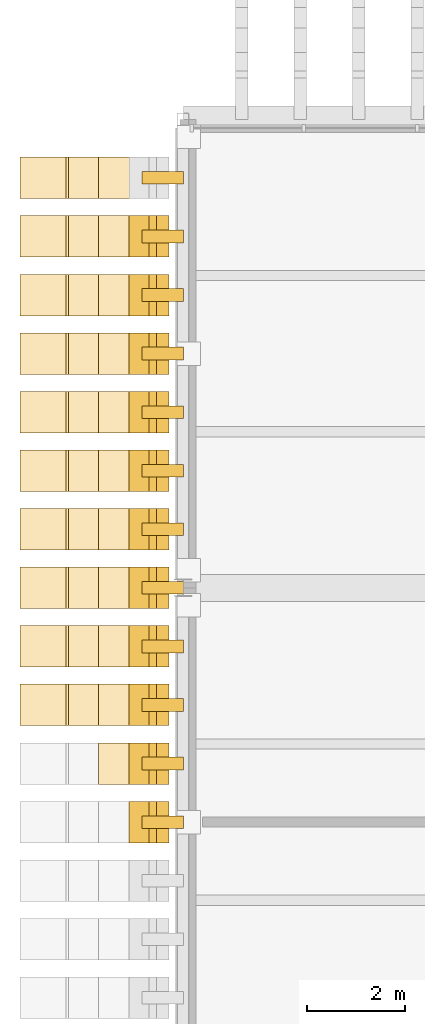
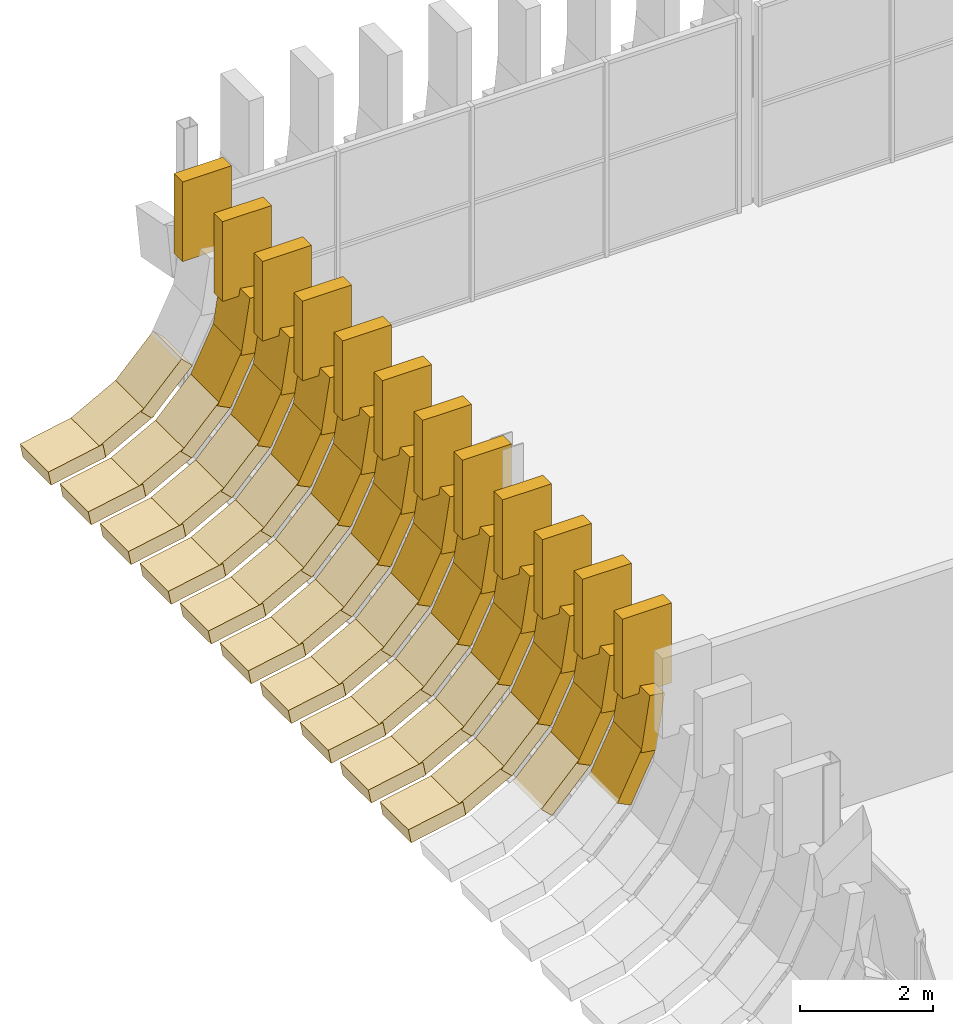
# One storey, part 77 of 100: 65 coverings.
"""IFC4 building model written with IfcOpenShell, lengths in metres."""

from ifc_helpers import new_model, si_unit, direction, frame, origin, origin_2d, place, context, subcontext, project, spatial, rectangle, extrude, material, material_profile, profile_set, type_object, element, save


model = new_model("IFC4")

# Units and contexts
model_context = context("Model", 3, precision=1e-05, world=origin(), true_north=direction((0.0, 1.0)))
body_context = subcontext(model_context, "Body", "Model", "MODEL_VIEW")
ifc_project = project(units=[si_unit("LENGTHUNIT", "METRE"), si_unit("AREAUNIT", "SQUARE_METRE"), si_unit("VOLUMEUNIT", "CUBIC_METRE"), si_unit("PLANEANGLEUNIT", "RADIAN"), si_unit("MASSUNIT", "GRAM", prefix="KILO")], contexts=[model_context])

# Site, building, storey
site_placement = place(None, origin())
site = spatial("IfcSite", under=ifc_project, at=site_placement, CompositionType="ELEMENT")
building_placement = place(site_placement, origin())
building = spatial("IfcBuilding", under=site, at=building_placement, Name="Caelomonte Colonnade Arena", CompositionType="ELEMENT")
storey_placement = place(building_placement, origin())
storey = spatial("IfcBuildingStorey", under=building, at=storey_placement, Name="L00", CompositionType="ELEMENT", Elevation=0.0)

# Coverings
ifc_material = material(Name="Precast travertine cladding", Category="masonry")
ifc_material_profile = material_profile(ifc_material, rectangle(XDim=0.260009765625, YDim=0.85009765625, at=origin_2d()), Name="FIN260X850")
ifc_profile_set = profile_set([ifc_material_profile], Name="Precast travertine cladding")
covering_type = type_object("IfcCoveringType", Name="ENV-FN-SKIRT", PredefinedType="CLADDING", material=ifc_profile_set)
covering_1_placement = place(storey_placement, frame((-0.4208984375, 85.199951171875, 3.360107421875), z_axis=(0.0, 0.0, 1.0), x_axis=(0.0, 1.0, 0.0)))
element("IfcCovering", 1, at=covering_1_placement, inside=storey, type_object=covering_type, Name="V5 L00 upper classical fin stem 1", PredefinedType="CLADDING", context=body_context, shape_type="SweptSolid", body=[
    extrude(rectangle(XDim=0.260009765625, YDim=0.85009765625, at=origin_2d()), origin(), (0.0, 0.0, 1.0), 1.4599609375),
])
covering_2_placement = place(storey_placement, frame((-0.938232421875, 85.199951171875, 1.733154296875), z_axis=(-0.694646381209, 0.0, -0.71935137803), x_axis=(-0.71935137803, 0.0, 0.694646381209)))
element("IfcCovering", 2, at=covering_2_placement, inside=storey, type_object=covering_type, Name="V5 L00 splayed classical fin skirt chord 3 (1)", PredefinedType="CLADDING", context=body_context, shape_type="SweptSolid", body=[
    extrude(rectangle(XDim=0.260009765625, YDim=0.85009765625, at=origin_2d()), origin(), (0.0, 0.0, 1.0), 1.008056640625),
])
covering_3_placement = place(storey_placement, frame((-1.567626953125, 85.199951171875, 1.061767578125), z_axis=(-0.879676382338, 0.0, -0.475572772935), x_axis=(-0.475572772935, 0.0, 0.879676382338)))
element("IfcCovering", 3, at=covering_3_placement, inside=storey, type_object=covering_type, Name="V5 L00 splayed classical fin skirt chord 4 (1)", PredefinedType="CLADDING", context=body_context, shape_type="SweptSolid", body=[
    extrude(rectangle(XDim=0.260009765625, YDim=0.85009765625, at=origin_2d()), origin(), (0.0, 0.0, 1.0), 1.0078125),
])
covering_4_placement = place(storey_placement, frame((-2.370361328125, 85.199951171875, 0.6123046875), z_axis=(-0.982296384632, 0.0, -0.187333426643), x_axis=(-0.187333426643, 0.0, 0.982296384632)))
element("IfcCovering", 4, at=covering_4_placement, inside=storey, type_object=covering_type, Name="V5 L00 splayed classical fin skirt chord 5 (1)", PredefinedType="CLADDING", context=body_context, shape_type="SweptSolid", body=[
    extrude(rectangle(XDim=0.260009765625, YDim=0.85009765625, at=origin_2d()), origin(), (0.0, 0.0, 1.0), 0.963134765625),
])
covering_5_placement = place(storey_placement, frame((-0.4208984375, 84.0, 3.360107421875), z_axis=(0.0, 0.0, 1.0), x_axis=(0.0, 1.0, 0.0)))
element("IfcCovering", 5, at=covering_5_placement, inside=storey, type_object=covering_type, Name="V5 L00 upper classical fin stem 2", PredefinedType="CLADDING", context=body_context, shape_type="SweptSolid", body=[
    extrude(rectangle(XDim=0.260009765625, YDim=0.85009765625, at=origin_2d()), origin(), (0.0, 0.0, 1.0), 1.4599609375),
])
covering_6_placement = place(storey_placement, frame((-0.4140625, 84.0, 3.474609375), z_axis=(-0.153076342973, 0.0, -0.988214366027), x_axis=(-0.988214366027, 0.0, 0.153076342973)))
element("IfcCovering", 6, at=covering_6_placement, inside=storey, type_object=covering_type, Name="V5 L00 splayed classical fin skirt chord 1 (2)", PredefinedType="CLADDING", context=body_context, shape_type="SweptSolid", body=[
    extrude(rectangle(XDim=0.260009765625, YDim=0.85009765625, at=origin_2d()), origin(), (0.0, 0.0, 1.0), 1.008056640625),
])
covering_7_placement = place(storey_placement, frame((-0.54150390625, 84.0, 2.563232421875), z_axis=(-0.44449852268, 0.0, -0.895779584125), x_axis=(-0.895779584125, 0.0, 0.44449852268)))
element("IfcCovering", 7, at=covering_7_placement, inside=storey, type_object=covering_type, Name="V5 L00 splayed classical fin skirt chord 2 (2)", PredefinedType="CLADDING", context=body_context, shape_type="SweptSolid", body=[
    extrude(rectangle(XDim=0.260009765625, YDim=0.85009765625, at=origin_2d()), origin(), (0.0, 0.0, 1.0), 1.0078125),
])
covering_8_placement = place(storey_placement, frame((-0.938232421875, 84.0, 1.733154296875), z_axis=(-0.694646381209, 0.0, -0.71935137803), x_axis=(-0.71935137803, 0.0, 0.694646381209)))
element("IfcCovering", 8, at=covering_8_placement, inside=storey, type_object=covering_type, Name="V5 L00 splayed classical fin skirt chord 3 (2)", PredefinedType="CLADDING", context=body_context, shape_type="SweptSolid", body=[
    extrude(rectangle(XDim=0.260009765625, YDim=0.85009765625, at=origin_2d()), origin(), (0.0, 0.0, 1.0), 1.008056640625),
])
covering_9_placement = place(storey_placement, frame((-1.567626953125, 84.0, 1.061767578125), z_axis=(-0.879676382338, 0.0, -0.475572772935), x_axis=(-0.475572772935, 0.0, 0.879676382338)))
element("IfcCovering", 9, at=covering_9_placement, inside=storey, type_object=covering_type, Name="V5 L00 splayed classical fin skirt chord 4 (2)", PredefinedType="CLADDING", context=body_context, shape_type="SweptSolid", body=[
    extrude(rectangle(XDim=0.260009765625, YDim=0.85009765625, at=origin_2d()), origin(), (0.0, 0.0, 1.0), 1.0078125),
])
covering_10_placement = place(storey_placement, frame((-2.370361328125, 84.0, 0.6123046875), z_axis=(-0.982296384632, 0.0, -0.187333426643), x_axis=(-0.187333426643, 0.0, 0.982296384632)))
element("IfcCovering", 10, at=covering_10_placement, inside=storey, type_object=covering_type, Name="V5 L00 splayed classical fin skirt chord 5 (2)", PredefinedType="CLADDING", context=body_context, shape_type="SweptSolid", body=[
    extrude(rectangle(XDim=0.260009765625, YDim=0.85009765625, at=origin_2d()), origin(), (0.0, 0.0, 1.0), 0.963134765625),
])
covering_11_placement = place(storey_placement, frame((-0.4208984375, 82.800048828125, 3.360107421875), z_axis=(0.0, 0.0, 1.0), x_axis=(0.0, 1.0, 0.0)))
element("IfcCovering", 11, at=covering_11_placement, inside=storey, type_object=covering_type, Name="V5 L00 upper classical fin stem 3", PredefinedType="CLADDING", context=body_context, shape_type="SweptSolid", body=[
    extrude(rectangle(XDim=0.260009765625, YDim=0.85009765625, at=origin_2d()), origin(), (0.0, 0.0, 1.0), 1.4599609375),
])
covering_12_placement = place(storey_placement, frame((-0.4140625, 82.800048828125, 3.474609375), z_axis=(-0.153076342973, 0.0, -0.988214366027), x_axis=(-0.988214366027, 0.0, 0.153076342973)))
element("IfcCovering", 12, at=covering_12_placement, inside=storey, type_object=covering_type, Name="V5 L00 splayed classical fin skirt chord 1 (3)", PredefinedType="CLADDING", context=body_context, shape_type="SweptSolid", body=[
    extrude(rectangle(XDim=0.260009765625, YDim=0.85009765625, at=origin_2d()), origin(), (0.0, 0.0, 1.0), 1.008056640625),
])
covering_13_placement = place(storey_placement, frame((-0.54150390625, 82.800048828125, 2.563232421875), z_axis=(-0.44449852268, 0.0, -0.895779584125), x_axis=(-0.895779584125, 0.0, 0.44449852268)))
element("IfcCovering", 13, at=covering_13_placement, inside=storey, type_object=covering_type, Name="V5 L00 splayed classical fin skirt chord 2 (3)", PredefinedType="CLADDING", context=body_context, shape_type="SweptSolid", body=[
    extrude(rectangle(XDim=0.260009765625, YDim=0.85009765625, at=origin_2d()), origin(), (0.0, 0.0, 1.0), 1.0078125),
])
covering_14_placement = place(storey_placement, frame((-0.938232421875, 82.800048828125, 1.733154296875), z_axis=(-0.694646381209, 0.0, -0.71935137803), x_axis=(-0.71935137803, 0.0, 0.694646381209)))
element("IfcCovering", 14, at=covering_14_placement, inside=storey, type_object=covering_type, Name="V5 L00 splayed classical fin skirt chord 3 (3)", PredefinedType="CLADDING", context=body_context, shape_type="SweptSolid", body=[
    extrude(rectangle(XDim=0.260009765625, YDim=0.85009765625, at=origin_2d()), origin(), (0.0, 0.0, 1.0), 1.008056640625),
])
covering_15_placement = place(storey_placement, frame((-1.567626953125, 82.800048828125, 1.061767578125), z_axis=(-0.879676382338, 0.0, -0.475572772935), x_axis=(-0.475572772935, 0.0, 0.879676382338)))
element("IfcCovering", 15, at=covering_15_placement, inside=storey, type_object=covering_type, Name="V5 L00 splayed classical fin skirt chord 4 (3)", PredefinedType="CLADDING", context=body_context, shape_type="SweptSolid", body=[
    extrude(rectangle(XDim=0.260009765625, YDim=0.85009765625, at=origin_2d()), origin(), (0.0, 0.0, 1.0), 1.0078125),
])
covering_16_placement = place(storey_placement, frame((-2.370361328125, 82.800048828125, 0.6123046875), z_axis=(-0.982296384632, 0.0, -0.187333426643), x_axis=(-0.187333426643, 0.0, 0.982296384632)))
element("IfcCovering", 16, at=covering_16_placement, inside=storey, type_object=covering_type, Name="V5 L00 splayed classical fin skirt chord 5 (3)", PredefinedType="CLADDING", context=body_context, shape_type="SweptSolid", body=[
    extrude(rectangle(XDim=0.260009765625, YDim=0.85009765625, at=origin_2d()), origin(), (0.0, 0.0, 1.0), 0.963134765625),
])
covering_17_placement = place(storey_placement, frame((-0.4208984375, 81.60009765625, 3.360107421875), z_axis=(0.0, 0.0, 1.0), x_axis=(0.0, 1.0, 0.0)))
element("IfcCovering", 17, at=covering_17_placement, inside=storey, type_object=covering_type, Name="V5 L00 upper classical fin stem 4", PredefinedType="CLADDING", context=body_context, shape_type="SweptSolid", body=[
    extrude(rectangle(XDim=0.260009765625, YDim=0.85009765625, at=origin_2d()), origin(), (0.0, 0.0, 1.0), 1.4599609375),
])
covering_18_placement = place(storey_placement, frame((-0.4140625, 81.60009765625, 3.474609375), z_axis=(-0.153076342973, 0.0, -0.988214366027), x_axis=(-0.988214366027, 0.0, 0.153076342973)))
element("IfcCovering", 18, at=covering_18_placement, inside=storey, type_object=covering_type, Name="V5 L00 splayed classical fin skirt chord 1 (4)", PredefinedType="CLADDING", context=body_context, shape_type="SweptSolid", body=[
    extrude(rectangle(XDim=0.260009765625, YDim=0.85009765625, at=origin_2d()), origin(), (0.0, 0.0, 1.0), 1.008056640625),
])
covering_19_placement = place(storey_placement, frame((-0.54150390625, 81.60009765625, 2.563232421875), z_axis=(-0.44449852268, 0.0, -0.895779584125), x_axis=(-0.895779584125, 0.0, 0.44449852268)))
element("IfcCovering", 19, at=covering_19_placement, inside=storey, type_object=covering_type, Name="V5 L00 splayed classical fin skirt chord 2 (4)", PredefinedType="CLADDING", context=body_context, shape_type="SweptSolid", body=[
    extrude(rectangle(XDim=0.260009765625, YDim=0.85009765625, at=origin_2d()), origin(), (0.0, 0.0, 1.0), 1.0078125),
])
covering_20_placement = place(storey_placement, frame((-0.938232421875, 81.60009765625, 1.733154296875), z_axis=(-0.694646381209, 0.0, -0.71935137803), x_axis=(-0.71935137803, 0.0, 0.694646381209)))
element("IfcCovering", 20, at=covering_20_placement, inside=storey, type_object=covering_type, Name="V5 L00 splayed classical fin skirt chord 3 (4)", PredefinedType="CLADDING", context=body_context, shape_type="SweptSolid", body=[
    extrude(rectangle(XDim=0.260009765625, YDim=0.85009765625, at=origin_2d()), origin(), (0.0, 0.0, 1.0), 1.008056640625),
])
covering_21_placement = place(storey_placement, frame((-1.567626953125, 81.60009765625, 1.061767578125), z_axis=(-0.879676382338, 0.0, -0.475572772935), x_axis=(-0.475572772935, 0.0, 0.879676382338)))
element("IfcCovering", 21, at=covering_21_placement, inside=storey, type_object=covering_type, Name="V5 L00 splayed classical fin skirt chord 4 (4)", PredefinedType="CLADDING", context=body_context, shape_type="SweptSolid", body=[
    extrude(rectangle(XDim=0.260009765625, YDim=0.85009765625, at=origin_2d()), origin(), (0.0, 0.0, 1.0), 1.0078125),
])
covering_22_placement = place(storey_placement, frame((-2.370361328125, 81.60009765625, 0.6123046875), z_axis=(-0.982296384632, 0.0, -0.187333426643), x_axis=(-0.187333426643, 0.0, 0.982296384632)))
element("IfcCovering", 22, at=covering_22_placement, inside=storey, type_object=covering_type, Name="V5 L00 splayed classical fin skirt chord 5 (4)", PredefinedType="CLADDING", context=body_context, shape_type="SweptSolid", body=[
    extrude(rectangle(XDim=0.260009765625, YDim=0.85009765625, at=origin_2d()), origin(), (0.0, 0.0, 1.0), 0.963134765625),
])
covering_23_placement = place(storey_placement, frame((-0.4208984375, 80.39990234375, 3.360107421875), z_axis=(0.0, 0.0, 1.0), x_axis=(0.0, 1.0, 0.0)))
element("IfcCovering", 23, at=covering_23_placement, inside=storey, type_object=covering_type, Name="V5 L00 upper classical fin stem 5", PredefinedType="CLADDING", context=body_context, shape_type="SweptSolid", body=[
    extrude(rectangle(XDim=0.260009765625, YDim=0.85009765625, at=origin_2d()), origin(), (0.0, 0.0, 1.0), 1.4599609375),
])
covering_24_placement = place(storey_placement, frame((-0.4140625, 80.39990234375, 3.474609375), z_axis=(-0.153076342973, 0.0, -0.988214366027), x_axis=(-0.988214366027, 0.0, 0.153076342973)))
element("IfcCovering", 24, at=covering_24_placement, inside=storey, type_object=covering_type, Name="V5 L00 splayed classical fin skirt chord 1 (5)", PredefinedType="CLADDING", context=body_context, shape_type="SweptSolid", body=[
    extrude(rectangle(XDim=0.260009765625, YDim=0.85009765625, at=origin_2d()), origin(), (0.0, 0.0, 1.0), 1.008056640625),
])
covering_25_placement = place(storey_placement, frame((-0.54150390625, 80.39990234375, 2.563232421875), z_axis=(-0.44449852268, 0.0, -0.895779584125), x_axis=(-0.895779584125, 0.0, 0.44449852268)))
element("IfcCovering", 25, at=covering_25_placement, inside=storey, type_object=covering_type, Name="V5 L00 splayed classical fin skirt chord 2 (5)", PredefinedType="CLADDING", context=body_context, shape_type="SweptSolid", body=[
    extrude(rectangle(XDim=0.260009765625, YDim=0.85009765625, at=origin_2d()), origin(), (0.0, 0.0, 1.0), 1.0078125),
])
covering_26_placement = place(storey_placement, frame((-0.938232421875, 80.39990234375, 1.733154296875), z_axis=(-0.694646381209, 0.0, -0.71935137803), x_axis=(-0.71935137803, 0.0, 0.694646381209)))
element("IfcCovering", 26, at=covering_26_placement, inside=storey, type_object=covering_type, Name="V5 L00 splayed classical fin skirt chord 3 (5)", PredefinedType="CLADDING", context=body_context, shape_type="SweptSolid", body=[
    extrude(rectangle(XDim=0.260009765625, YDim=0.85009765625, at=origin_2d()), origin(), (0.0, 0.0, 1.0), 1.008056640625),
])
covering_27_placement = place(storey_placement, frame((-1.567626953125, 80.39990234375, 1.061767578125), z_axis=(-0.879676382338, 0.0, -0.475572772935), x_axis=(-0.475572772935, 0.0, 0.879676382338)))
element("IfcCovering", 27, at=covering_27_placement, inside=storey, type_object=covering_type, Name="V5 L00 splayed classical fin skirt chord 4 (5)", PredefinedType="CLADDING", context=body_context, shape_type="SweptSolid", body=[
    extrude(rectangle(XDim=0.260009765625, YDim=0.85009765625, at=origin_2d()), origin(), (0.0, 0.0, 1.0), 1.0078125),
])
covering_28_placement = place(storey_placement, frame((-2.370361328125, 80.39990234375, 0.6123046875), z_axis=(-0.982296384632, 0.0, -0.187333426643), x_axis=(-0.187333426643, 0.0, 0.982296384632)))
element("IfcCovering", 28, at=covering_28_placement, inside=storey, type_object=covering_type, Name="V5 L00 splayed classical fin skirt chord 5 (5)", PredefinedType="CLADDING", context=body_context, shape_type="SweptSolid", body=[
    extrude(rectangle(XDim=0.260009765625, YDim=0.85009765625, at=origin_2d()), origin(), (0.0, 0.0, 1.0), 0.963134765625),
])
covering_29_placement = place(storey_placement, frame((-0.4208984375, 79.199951171875, 3.360107421875), z_axis=(0.0, 0.0, 1.0), x_axis=(0.0, 1.0, 0.0)))
element("IfcCovering", 29, at=covering_29_placement, inside=storey, type_object=covering_type, Name="V5 L00 upper classical fin stem 6", PredefinedType="CLADDING", context=body_context, shape_type="SweptSolid", body=[
    extrude(rectangle(XDim=0.260009765625, YDim=0.85009765625, at=origin_2d()), origin(), (0.0, 0.0, 1.0), 1.4599609375),
])
covering_30_placement = place(storey_placement, frame((-0.4140625, 79.199951171875, 3.474609375), z_axis=(-0.153076342973, 0.0, -0.988214366027), x_axis=(-0.988214366027, 0.0, 0.153076342973)))
element("IfcCovering", 30, at=covering_30_placement, inside=storey, type_object=covering_type, Name="V5 L00 splayed classical fin skirt chord 1 (6)", PredefinedType="CLADDING", context=body_context, shape_type="SweptSolid", body=[
    extrude(rectangle(XDim=0.260009765625, YDim=0.85009765625, at=origin_2d()), origin(), (0.0, 0.0, 1.0), 1.008056640625),
])
covering_31_placement = place(storey_placement, frame((-0.54150390625, 79.199951171875, 2.563232421875), z_axis=(-0.44449852268, 0.0, -0.895779584125), x_axis=(-0.895779584125, 0.0, 0.44449852268)))
element("IfcCovering", 31, at=covering_31_placement, inside=storey, type_object=covering_type, Name="V5 L00 splayed classical fin skirt chord 2 (6)", PredefinedType="CLADDING", context=body_context, shape_type="SweptSolid", body=[
    extrude(rectangle(XDim=0.260009765625, YDim=0.85009765625, at=origin_2d()), origin(), (0.0, 0.0, 1.0), 1.0078125),
])
covering_32_placement = place(storey_placement, frame((-0.938232421875, 79.199951171875, 1.733154296875), z_axis=(-0.694646381209, 0.0, -0.71935137803), x_axis=(-0.71935137803, 0.0, 0.694646381209)))
element("IfcCovering", 32, at=covering_32_placement, inside=storey, type_object=covering_type, Name="V5 L00 splayed classical fin skirt chord 3 (6)", PredefinedType="CLADDING", context=body_context, shape_type="SweptSolid", body=[
    extrude(rectangle(XDim=0.260009765625, YDim=0.85009765625, at=origin_2d()), origin(), (0.0, 0.0, 1.0), 1.008056640625),
])
covering_33_placement = place(storey_placement, frame((-1.567626953125, 79.199951171875, 1.061767578125), z_axis=(-0.879676382338, 0.0, -0.475572772935), x_axis=(-0.475572772935, 0.0, 0.879676382338)))
element("IfcCovering", 33, at=covering_33_placement, inside=storey, type_object=covering_type, Name="V5 L00 splayed classical fin skirt chord 4 (6)", PredefinedType="CLADDING", context=body_context, shape_type="SweptSolid", body=[
    extrude(rectangle(XDim=0.260009765625, YDim=0.85009765625, at=origin_2d()), origin(), (0.0, 0.0, 1.0), 1.0078125),
])
covering_34_placement = place(storey_placement, frame((-2.370361328125, 79.199951171875, 0.6123046875), z_axis=(-0.982296384632, 0.0, -0.187333426643), x_axis=(-0.187333426643, 0.0, 0.982296384632)))
element("IfcCovering", 34, at=covering_34_placement, inside=storey, type_object=covering_type, Name="V5 L00 splayed classical fin skirt chord 5 (6)", PredefinedType="CLADDING", context=body_context, shape_type="SweptSolid", body=[
    extrude(rectangle(XDim=0.260009765625, YDim=0.85009765625, at=origin_2d()), origin(), (0.0, 0.0, 1.0), 0.963134765625),
])
covering_35_placement = place(storey_placement, frame((-0.4208984375, 78.0, 3.360107421875), z_axis=(0.0, 0.0, 1.0), x_axis=(0.0, 1.0, 0.0)))
element("IfcCovering", 35, at=covering_35_placement, inside=storey, type_object=covering_type, Name="V5 L00 upper classical fin stem 7", PredefinedType="CLADDING", context=body_context, shape_type="SweptSolid", body=[
    extrude(rectangle(XDim=0.260009765625, YDim=0.85009765625, at=origin_2d()), origin(), (0.0, 0.0, 1.0), 1.4599609375),
])
covering_36_placement = place(storey_placement, frame((-0.4140625, 78.0, 3.474609375), z_axis=(-0.153076342973, 0.0, -0.988214366027), x_axis=(-0.988214366027, 0.0, 0.153076342973)))
element("IfcCovering", 36, at=covering_36_placement, inside=storey, type_object=covering_type, Name="V5 L00 splayed classical fin skirt chord 1 (7)", PredefinedType="CLADDING", context=body_context, shape_type="SweptSolid", body=[
    extrude(rectangle(XDim=0.260009765625, YDim=0.85009765625, at=origin_2d()), origin(), (0.0, 0.0, 1.0), 1.008056640625),
])
covering_37_placement = place(storey_placement, frame((-0.54150390625, 78.0, 2.563232421875), z_axis=(-0.44449852268, 0.0, -0.895779584125), x_axis=(-0.895779584125, 0.0, 0.44449852268)))
element("IfcCovering", 37, at=covering_37_placement, inside=storey, type_object=covering_type, Name="V5 L00 splayed classical fin skirt chord 2 (7)", PredefinedType="CLADDING", context=body_context, shape_type="SweptSolid", body=[
    extrude(rectangle(XDim=0.260009765625, YDim=0.85009765625, at=origin_2d()), origin(), (0.0, 0.0, 1.0), 1.0078125),
])
covering_38_placement = place(storey_placement, frame((-0.938232421875, 78.0, 1.733154296875), z_axis=(-0.694646381209, 0.0, -0.71935137803), x_axis=(-0.71935137803, 0.0, 0.694646381209)))
element("IfcCovering", 38, at=covering_38_placement, inside=storey, type_object=covering_type, Name="V5 L00 splayed classical fin skirt chord 3 (7)", PredefinedType="CLADDING", context=body_context, shape_type="SweptSolid", body=[
    extrude(rectangle(XDim=0.260009765625, YDim=0.85009765625, at=origin_2d()), origin(), (0.0, 0.0, 1.0), 1.008056640625),
])
covering_39_placement = place(storey_placement, frame((-1.567626953125, 78.0, 1.061767578125), z_axis=(-0.879676382338, 0.0, -0.475572772935), x_axis=(-0.475572772935, 0.0, 0.879676382338)))
element("IfcCovering", 39, at=covering_39_placement, inside=storey, type_object=covering_type, Name="V5 L00 splayed classical fin skirt chord 4 (7)", PredefinedType="CLADDING", context=body_context, shape_type="SweptSolid", body=[
    extrude(rectangle(XDim=0.260009765625, YDim=0.85009765625, at=origin_2d()), origin(), (0.0, 0.0, 1.0), 1.0078125),
])
covering_40_placement = place(storey_placement, frame((-2.370361328125, 78.0, 0.6123046875), z_axis=(-0.982296384632, 0.0, -0.187333426643), x_axis=(-0.187333426643, 0.0, 0.982296384632)))
element("IfcCovering", 40, at=covering_40_placement, inside=storey, type_object=covering_type, Name="V5 L00 splayed classical fin skirt chord 5 (7)", PredefinedType="CLADDING", context=body_context, shape_type="SweptSolid", body=[
    extrude(rectangle(XDim=0.260009765625, YDim=0.85009765625, at=origin_2d()), origin(), (0.0, 0.0, 1.0), 0.963134765625),
])
covering_41_placement = place(storey_placement, frame((-0.4208984375, 76.800048828125, 3.360107421875), z_axis=(0.0, 0.0, 1.0), x_axis=(0.0, 1.0, 0.0)))
element("IfcCovering", 41, at=covering_41_placement, inside=storey, type_object=covering_type, Name="V5 L00 upper classical fin stem 8", PredefinedType="CLADDING", context=body_context, shape_type="SweptSolid", body=[
    extrude(rectangle(XDim=0.260009765625, YDim=0.85009765625, at=origin_2d()), origin(), (0.0, 0.0, 1.0), 1.4599609375),
])
covering_42_placement = place(storey_placement, frame((-0.4140625, 76.800048828125, 3.474609375), z_axis=(-0.153076342973, 0.0, -0.988214366027), x_axis=(-0.988214366027, 0.0, 0.153076342973)))
element("IfcCovering", 42, at=covering_42_placement, inside=storey, type_object=covering_type, Name="V5 L00 splayed classical fin skirt chord 1 (8)", PredefinedType="CLADDING", context=body_context, shape_type="SweptSolid", body=[
    extrude(rectangle(XDim=0.260009765625, YDim=0.85009765625, at=origin_2d()), origin(), (0.0, 0.0, 1.0), 1.008056640625),
])
covering_43_placement = place(storey_placement, frame((-0.54150390625, 76.800048828125, 2.563232421875), z_axis=(-0.44449852268, 0.0, -0.895779584125), x_axis=(-0.895779584125, 0.0, 0.44449852268)))
element("IfcCovering", 43, at=covering_43_placement, inside=storey, type_object=covering_type, Name="V5 L00 splayed classical fin skirt chord 2 (8)", PredefinedType="CLADDING", context=body_context, shape_type="SweptSolid", body=[
    extrude(rectangle(XDim=0.260009765625, YDim=0.85009765625, at=origin_2d()), origin(), (0.0, 0.0, 1.0), 1.0078125),
])
covering_44_placement = place(storey_placement, frame((-0.938232421875, 76.800048828125, 1.733154296875), z_axis=(-0.694646381209, 0.0, -0.71935137803), x_axis=(-0.71935137803, 0.0, 0.694646381209)))
element("IfcCovering", 44, at=covering_44_placement, inside=storey, type_object=covering_type, Name="V5 L00 splayed classical fin skirt chord 3 (8)", PredefinedType="CLADDING", context=body_context, shape_type="SweptSolid", body=[
    extrude(rectangle(XDim=0.260009765625, YDim=0.85009765625, at=origin_2d()), origin(), (0.0, 0.0, 1.0), 1.008056640625),
])
covering_45_placement = place(storey_placement, frame((-1.567626953125, 76.800048828125, 1.061767578125), z_axis=(-0.879676382338, 0.0, -0.475572772935), x_axis=(-0.475572772935, 0.0, 0.879676382338)))
element("IfcCovering", 45, at=covering_45_placement, inside=storey, type_object=covering_type, Name="V5 L00 splayed classical fin skirt chord 4 (8)", PredefinedType="CLADDING", context=body_context, shape_type="SweptSolid", body=[
    extrude(rectangle(XDim=0.260009765625, YDim=0.85009765625, at=origin_2d()), origin(), (0.0, 0.0, 1.0), 1.0078125),
])
covering_46_placement = place(storey_placement, frame((-2.370361328125, 76.800048828125, 0.6123046875), z_axis=(-0.982296384632, 0.0, -0.187333426643), x_axis=(-0.187333426643, 0.0, 0.982296384632)))
element("IfcCovering", 46, at=covering_46_placement, inside=storey, type_object=covering_type, Name="V5 L00 splayed classical fin skirt chord 5 (8)", PredefinedType="CLADDING", context=body_context, shape_type="SweptSolid", body=[
    extrude(rectangle(XDim=0.260009765625, YDim=0.85009765625, at=origin_2d()), origin(), (0.0, 0.0, 1.0), 0.963134765625),
])
covering_47_placement = place(storey_placement, frame((-0.4208984375, 75.60009765625, 3.360107421875), z_axis=(0.0, 0.0, 1.0), x_axis=(0.0, 1.0, 0.0)))
element("IfcCovering", 47, at=covering_47_placement, inside=storey, type_object=covering_type, Name="V5 L00 upper classical fin stem 9", PredefinedType="CLADDING", context=body_context, shape_type="SweptSolid", body=[
    extrude(rectangle(XDim=0.260009765625, YDim=0.85009765625, at=origin_2d()), origin(), (0.0, 0.0, 1.0), 1.4599609375),
])
covering_48_placement = place(storey_placement, frame((-0.4140625, 75.60009765625, 3.474609375), z_axis=(-0.153076342973, 0.0, -0.988214366027), x_axis=(-0.988214366027, 0.0, 0.153076342973)))
element("IfcCovering", 48, at=covering_48_placement, inside=storey, type_object=covering_type, Name="V5 L00 splayed classical fin skirt chord 1 (9)", PredefinedType="CLADDING", context=body_context, shape_type="SweptSolid", body=[
    extrude(rectangle(XDim=0.260009765625, YDim=0.85009765625, at=origin_2d()), origin(), (0.0, 0.0, 1.0), 1.008056640625),
])
covering_49_placement = place(storey_placement, frame((-0.54150390625, 75.60009765625, 2.563232421875), z_axis=(-0.44449852268, 0.0, -0.895779584125), x_axis=(-0.895779584125, 0.0, 0.44449852268)))
element("IfcCovering", 49, at=covering_49_placement, inside=storey, type_object=covering_type, Name="V5 L00 splayed classical fin skirt chord 2 (9)", PredefinedType="CLADDING", context=body_context, shape_type="SweptSolid", body=[
    extrude(rectangle(XDim=0.260009765625, YDim=0.85009765625, at=origin_2d()), origin(), (0.0, 0.0, 1.0), 1.0078125),
])
covering_50_placement = place(storey_placement, frame((-0.938232421875, 75.60009765625, 1.733154296875), z_axis=(-0.694646381209, 0.0, -0.71935137803), x_axis=(-0.71935137803, 0.0, 0.694646381209)))
element("IfcCovering", 50, at=covering_50_placement, inside=storey, type_object=covering_type, Name="V5 L00 splayed classical fin skirt chord 3 (9)", PredefinedType="CLADDING", context=body_context, shape_type="SweptSolid", body=[
    extrude(rectangle(XDim=0.260009765625, YDim=0.85009765625, at=origin_2d()), origin(), (0.0, 0.0, 1.0), 1.008056640625),
])
covering_51_placement = place(storey_placement, frame((-1.567626953125, 75.60009765625, 1.061767578125), z_axis=(-0.879676382338, 0.0, -0.475572772935), x_axis=(-0.475572772935, 0.0, 0.879676382338)))
element("IfcCovering", 51, at=covering_51_placement, inside=storey, type_object=covering_type, Name="V5 L00 splayed classical fin skirt chord 4 (9)", PredefinedType="CLADDING", context=body_context, shape_type="SweptSolid", body=[
    extrude(rectangle(XDim=0.260009765625, YDim=0.85009765625, at=origin_2d()), origin(), (0.0, 0.0, 1.0), 1.0078125),
])
covering_52_placement = place(storey_placement, frame((-2.370361328125, 75.60009765625, 0.6123046875), z_axis=(-0.982296384632, 0.0, -0.187333426643), x_axis=(-0.187333426643, 0.0, 0.982296384632)))
element("IfcCovering", 52, at=covering_52_placement, inside=storey, type_object=covering_type, Name="V5 L00 splayed classical fin skirt chord 5 (9)", PredefinedType="CLADDING", context=body_context, shape_type="SweptSolid", body=[
    extrude(rectangle(XDim=0.260009765625, YDim=0.85009765625, at=origin_2d()), origin(), (0.0, 0.0, 1.0), 0.963134765625),
])
covering_53_placement = place(storey_placement, frame((-0.4208984375, 74.39990234375, 3.360107421875), z_axis=(0.0, 0.0, 1.0), x_axis=(0.0, 1.0, 0.0)))
element("IfcCovering", 53, at=covering_53_placement, inside=storey, type_object=covering_type, Name="V5 L00 upper classical fin stem 10", PredefinedType="CLADDING", context=body_context, shape_type="SweptSolid", body=[
    extrude(rectangle(XDim=0.260009765625, YDim=0.85009765625, at=origin_2d()), origin(), (0.0, 0.0, 1.0), 1.4599609375),
])
covering_54_placement = place(storey_placement, frame((-0.4140625, 74.39990234375, 3.474609375), z_axis=(-0.153076342973, 0.0, -0.988214366027), x_axis=(-0.988214366027, 0.0, 0.153076342973)))
element("IfcCovering", 54, at=covering_54_placement, inside=storey, type_object=covering_type, Name="V5 L00 splayed classical fin skirt chord 1 (10)", PredefinedType="CLADDING", context=body_context, shape_type="SweptSolid", body=[
    extrude(rectangle(XDim=0.260009765625, YDim=0.85009765625, at=origin_2d()), origin(), (0.0, 0.0, 1.0), 1.008056640625),
])
covering_55_placement = place(storey_placement, frame((-0.54150390625, 74.39990234375, 2.563232421875), z_axis=(-0.44449852268, 0.0, -0.895779584125), x_axis=(-0.895779584125, 0.0, 0.44449852268)))
element("IfcCovering", 55, at=covering_55_placement, inside=storey, type_object=covering_type, Name="V5 L00 splayed classical fin skirt chord 2 (10)", PredefinedType="CLADDING", context=body_context, shape_type="SweptSolid", body=[
    extrude(rectangle(XDim=0.260009765625, YDim=0.85009765625, at=origin_2d()), origin(), (0.0, 0.0, 1.0), 1.0078125),
])
covering_56_placement = place(storey_placement, frame((-0.938232421875, 74.39990234375, 1.733154296875), z_axis=(-0.694646381209, 0.0, -0.71935137803), x_axis=(-0.71935137803, 0.0, 0.694646381209)))
element("IfcCovering", 56, at=covering_56_placement, inside=storey, type_object=covering_type, Name="V5 L00 splayed classical fin skirt chord 3 (10)", PredefinedType="CLADDING", context=body_context, shape_type="SweptSolid", body=[
    extrude(rectangle(XDim=0.260009765625, YDim=0.85009765625, at=origin_2d()), origin(), (0.0, 0.0, 1.0), 1.008056640625),
])
covering_57_placement = place(storey_placement, frame((-1.567626953125, 74.39990234375, 1.061767578125), z_axis=(-0.879676382338, 0.0, -0.475572772935), x_axis=(-0.475572772935, 0.0, 0.879676382338)))
element("IfcCovering", 57, at=covering_57_placement, inside=storey, type_object=covering_type, Name="V5 L00 splayed classical fin skirt chord 4 (10)", PredefinedType="CLADDING", context=body_context, shape_type="SweptSolid", body=[
    extrude(rectangle(XDim=0.260009765625, YDim=0.85009765625, at=origin_2d()), origin(), (0.0, 0.0, 1.0), 1.0078125),
])
covering_58_placement = place(storey_placement, frame((-2.370361328125, 74.39990234375, 0.6123046875), z_axis=(-0.982296384632, 0.0, -0.187333426643), x_axis=(-0.187333426643, 0.0, 0.982296384632)))
element("IfcCovering", 58, at=covering_58_placement, inside=storey, type_object=covering_type, Name="V5 L00 splayed classical fin skirt chord 5 (10)", PredefinedType="CLADDING", context=body_context, shape_type="SweptSolid", body=[
    extrude(rectangle(XDim=0.260009765625, YDim=0.85009765625, at=origin_2d()), origin(), (0.0, 0.0, 1.0), 0.963134765625),
])
covering_59_placement = place(storey_placement, frame((-0.4208984375, 73.199951171875, 3.360107421875), z_axis=(0.0, 0.0, 1.0), x_axis=(0.0, 1.0, 0.0)))
element("IfcCovering", 59, at=covering_59_placement, inside=storey, type_object=covering_type, Name="V5 L00 upper classical fin stem 11", PredefinedType="CLADDING", context=body_context, shape_type="SweptSolid", body=[
    extrude(rectangle(XDim=0.260009765625, YDim=0.85009765625, at=origin_2d()), origin(), (0.0, 0.0, 1.0), 1.4599609375),
])
covering_60_placement = place(storey_placement, frame((-0.4140625, 73.199951171875, 3.474609375), z_axis=(-0.153076342973, 0.0, -0.988214366027), x_axis=(-0.988214366027, 0.0, 0.153076342973)))
element("IfcCovering", 60, at=covering_60_placement, inside=storey, type_object=covering_type, Name="V5 L00 splayed classical fin skirt chord 1 (11)", PredefinedType="CLADDING", context=body_context, shape_type="SweptSolid", body=[
    extrude(rectangle(XDim=0.260009765625, YDim=0.85009765625, at=origin_2d()), origin(), (0.0, 0.0, 1.0), 1.008056640625),
])
covering_61_placement = place(storey_placement, frame((-0.54150390625, 73.199951171875, 2.563232421875), z_axis=(-0.44449852268, 0.0, -0.895779584125), x_axis=(-0.895779584125, 0.0, 0.44449852268)))
element("IfcCovering", 61, at=covering_61_placement, inside=storey, type_object=covering_type, Name="V5 L00 splayed classical fin skirt chord 2 (11)", PredefinedType="CLADDING", context=body_context, shape_type="SweptSolid", body=[
    extrude(rectangle(XDim=0.260009765625, YDim=0.85009765625, at=origin_2d()), origin(), (0.0, 0.0, 1.0), 1.0078125),
])
covering_62_placement = place(storey_placement, frame((-0.938232421875, 73.199951171875, 1.733154296875), z_axis=(-0.694646381209, 0.0, -0.71935137803), x_axis=(-0.71935137803, 0.0, 0.694646381209)))
element("IfcCovering", 62, at=covering_62_placement, inside=storey, type_object=covering_type, Name="V5 L00 splayed classical fin skirt chord 3 (11)", PredefinedType="CLADDING", context=body_context, shape_type="SweptSolid", body=[
    extrude(rectangle(XDim=0.260009765625, YDim=0.85009765625, at=origin_2d()), origin(), (0.0, 0.0, 1.0), 1.008056640625),
])
covering_63_placement = place(storey_placement, frame((-0.4208984375, 72.0, 3.360107421875), z_axis=(0.0, 0.0, 1.0), x_axis=(0.0, 1.0, 0.0)))
element("IfcCovering", 63, at=covering_63_placement, inside=storey, type_object=covering_type, Name="V5 L00 upper classical fin stem 12", PredefinedType="CLADDING", context=body_context, shape_type="SweptSolid", body=[
    extrude(rectangle(XDim=0.260009765625, YDim=0.85009765625, at=origin_2d()), origin(), (0.0, 0.0, 1.0), 1.4599609375),
])
covering_64_placement = place(storey_placement, frame((-0.4140625, 72.0, 3.474609375), z_axis=(-0.153076342973, 0.0, -0.988214366027), x_axis=(-0.988214366027, 0.0, 0.153076342973)))
element("IfcCovering", 64, at=covering_64_placement, inside=storey, type_object=covering_type, Name="V5 L00 splayed classical fin skirt chord 1 (12)", PredefinedType="CLADDING", context=body_context, shape_type="SweptSolid", body=[
    extrude(rectangle(XDim=0.260009765625, YDim=0.85009765625, at=origin_2d()), origin(), (0.0, 0.0, 1.0), 1.008056640625),
])
covering_65_placement = place(storey_placement, frame((-0.54150390625, 72.0, 2.563232421875), z_axis=(-0.44449852268, 0.0, -0.895779584125), x_axis=(-0.895779584125, 0.0, 0.44449852268)))
element("IfcCovering", 65, at=covering_65_placement, inside=storey, type_object=covering_type, Name="V5 L00 splayed classical fin skirt chord 2 (12)", PredefinedType="CLADDING", context=body_context, shape_type="SweptSolid", body=[
    extrude(rectangle(XDim=0.260009765625, YDim=0.85009765625, at=origin_2d()), origin(), (0.0, 0.0, 1.0), 1.0078125),
])

save(model, "model.ifc")
